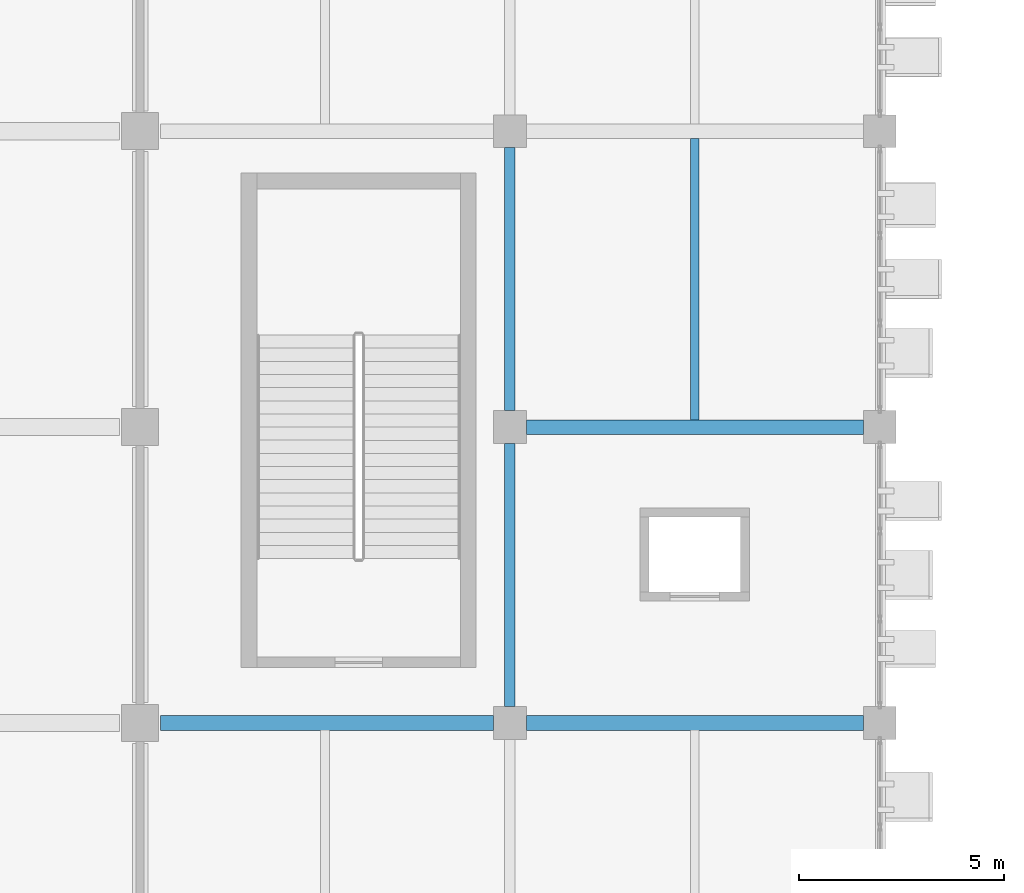
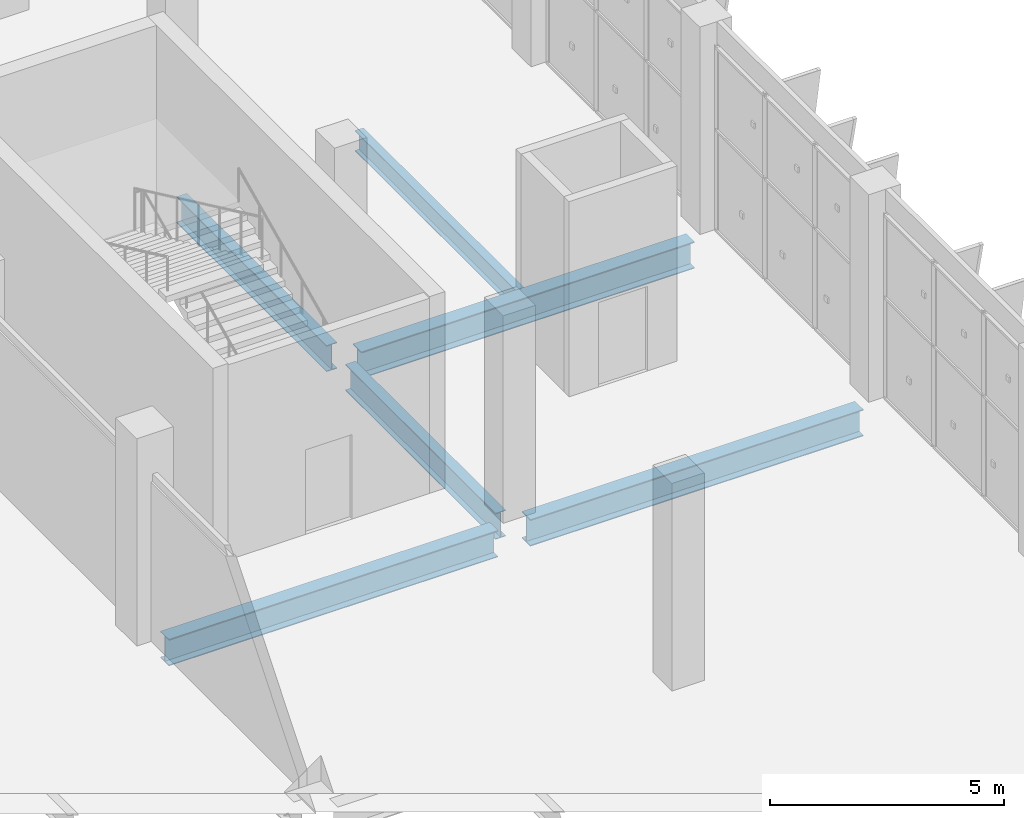
# One storey, part 40 of 137: 6 beams.
"""IFC4 building model written with IfcOpenShell, lengths in metres."""

from ifc_helpers import new_model, si_unit, direction, frame, origin, origin_2d, place, context, subcontext, project, spatial, i_section, extrude, material, material_profile, profile_set, type_object, element, save


model = new_model("IFC4")

# Units and contexts
model_context = context("Model", 3, precision=1e-05, world=origin(), true_north=direction((0.0, 1.0)))
body_context = subcontext(model_context, "Body", "Model", "MODEL_VIEW")
ifc_project = project(units=[si_unit("LENGTHUNIT", "METRE"), si_unit("AREAUNIT", "SQUARE_METRE"), si_unit("VOLUMEUNIT", "CUBIC_METRE"), si_unit("PLANEANGLEUNIT", "RADIAN"), si_unit("MASSUNIT", "GRAM", prefix="KILO")], contexts=[model_context])

# Site, building, storey
site_placement = place(None, origin())
site = spatial("IfcSite", under=ifc_project, at=site_placement, CompositionType="ELEMENT")
building_placement = place(site_placement, origin())
building = spatial("IfcBuilding", under=site, at=building_placement, Name="Celestram Park Convention Centre", CompositionType="ELEMENT")
storey_placement = place(building_placement, origin())
storey = spatial("IfcBuildingStorey", under=building, at=storey_placement, Name="L00", CompositionType="ELEMENT", Elevation=0.0)

# Beams
ifc_material = material(Name="Steel ASTM A992 Grade 50", Category="steel")
ifc_material_profile_1 = material_profile(ifc_material, i_section(OverallWidth=0.35595703125, OverallDepth=0.696044921875, WebThickness=0.015380859375, FlangeThickness=0.02490234375, at=origin_2d()), Name="W27X146")
ifc_profile_set_1 = profile_set([ifc_material_profile_1], Name="Steel ASTM A992 Grade 50")
beam_type_1 = type_object("IfcBeamType", Name="STR-BM-W27X146", PredefinedType="BEAM", material=ifc_profile_set_1)
beam_1_placement = place(storey_placement, frame((126.498046875, 50.39990234375, -0.66796875), z_axis=(1.0, 0.0, 0.0), x_axis=(0.0, 1.0, 0.0)))
element("IfcBeam", 1, at=beam_1_placement, inside=storey, type_object=beam_type_1, Name="Primary X-girder BG-L00-0591", PredefinedType="BEAM", context=body_context, shape_type="SweptSolid", body=[
    extrude(i_section(OverallWidth=0.35595703125, OverallDepth=0.696044921875, WebThickness=0.015380859375, FlangeThickness=0.02490234375, at=origin_2d()), origin(), (0.0, 0.0, 1.0), 8.10400390625),
])
for number, where, z_axis, x_axis, name in (
    (2, (135.39794921875, 50.39990234375, -0.66796875), (1.0, 0.0, 0.0), (0.0, 1.0, 0.0), "Primary X-girder BG-L00-0629"),
    (3, (135.39794921875, 57.60009765625, -0.66796875), (1.0, 0.0, 0.0), (0.0, 1.0, 0.0), "Primary X-girder BG-L00-0631"),
):
    element("IfcBeam", number, at=place(storey_placement, frame(where, z_axis=z_axis, x_axis=x_axis)), inside=storey, type_object=beam_type_1, Name=name, PredefinedType="BEAM", context=body_context, shape_type="SweptSolid", body=[
        extrude(i_section(OverallWidth=0.35595703125, OverallDepth=0.696044921875, WebThickness=0.015380859375, FlangeThickness=0.02490234375, at=origin_2d()), origin(), (0.0, 0.0, 1.0), 8.2041015625),
    ])
ifc_material_profile_2 = material_profile(ifc_material, i_section(OverallWidth=0.25390625, OverallDepth=0.68310546875, WebThickness=0.012451171875, FlangeThickness=0.01904296875, at=origin_2d()), Name="W27X94")
ifc_profile_set_2 = profile_set([ifc_material_profile_2], Name="Steel ASTM A992 Grade 50")
beam_type_2 = type_object("IfcBeamType", Name="STR-BM-W27X94", PredefinedType="BEAM", material=ifc_profile_set_2)
beam_2_placement = place(storey_placement, frame((135.0, 50.798095703125, -0.66162109375), z_axis=(0.0, 1.0, 0.0), x_axis=(-1.0, 0.0, 0.0)))
element("IfcBeam", 4, at=beam_2_placement, inside=storey, type_object=beam_type_2, Name="Primary Y-girder BG-L00-0630", PredefinedType="BEAM", context=body_context, shape_type="SweptSolid", body=[
    extrude(i_section(OverallWidth=0.25390625, OverallDepth=0.68310546875, WebThickness=0.012451171875, FlangeThickness=0.01904296875, at=origin_2d()), origin(), (0.0, 0.0, 1.0), 6.40380859375),
])
beam_3_placement = place(storey_placement, frame((135.0, 57.998046875, -0.66162109375), z_axis=(0.0, 1.0, 0.0), x_axis=(-1.0, 0.0, 0.0)))
element("IfcBeam", 5, at=beam_3_placement, inside=storey, type_object=beam_type_2, Name="Primary Y-girder BG-L00-0632", PredefinedType="BEAM", context=body_context, shape_type="SweptSolid", body=[
    extrude(i_section(OverallWidth=0.25390625, OverallDepth=0.68310546875, WebThickness=0.012451171875, FlangeThickness=0.01904296875, at=origin_2d()), origin(), (0.0, 0.0, 1.0), 6.404052734375),
])
ifc_material_profile_3 = material_profile(ifc_material, i_section(OverallWidth=0.2099609375, OverallDepth=0.532958984375, WebThickness=0.01025390625, FlangeThickness=0.015625, at=origin_2d()), Name="W21X62")
ifc_profile_set_3 = profile_set([ifc_material_profile_3], Name="Steel ASTM A992 Grade 50")
beam_type_3 = type_object("IfcBeamType", Name="STR-JST-W21X62", PredefinedType="JOIST", material=ifc_profile_set_3)
beam_4_placement = place(storey_placement, frame((139.5, 57.77392578125, -0.58642578125), z_axis=(0.0, 1.0, 0.0), x_axis=(-1.0, 0.0, 0.0)))
element("IfcBeam", 6, at=beam_4_placement, inside=storey, type_object=beam_type_3, Name="Secondary composite joist BG-L00-1159", PredefinedType="JOIST", context=body_context, shape_type="SweptSolid", body=[
    extrude(i_section(OverallWidth=0.2099609375, OverallDepth=0.532958984375, WebThickness=0.01025390625, FlangeThickness=0.015625, at=origin_2d()), origin(), (0.0, 0.0, 1.0), 6.85205078125),
])

save(model, "model.ifc")
